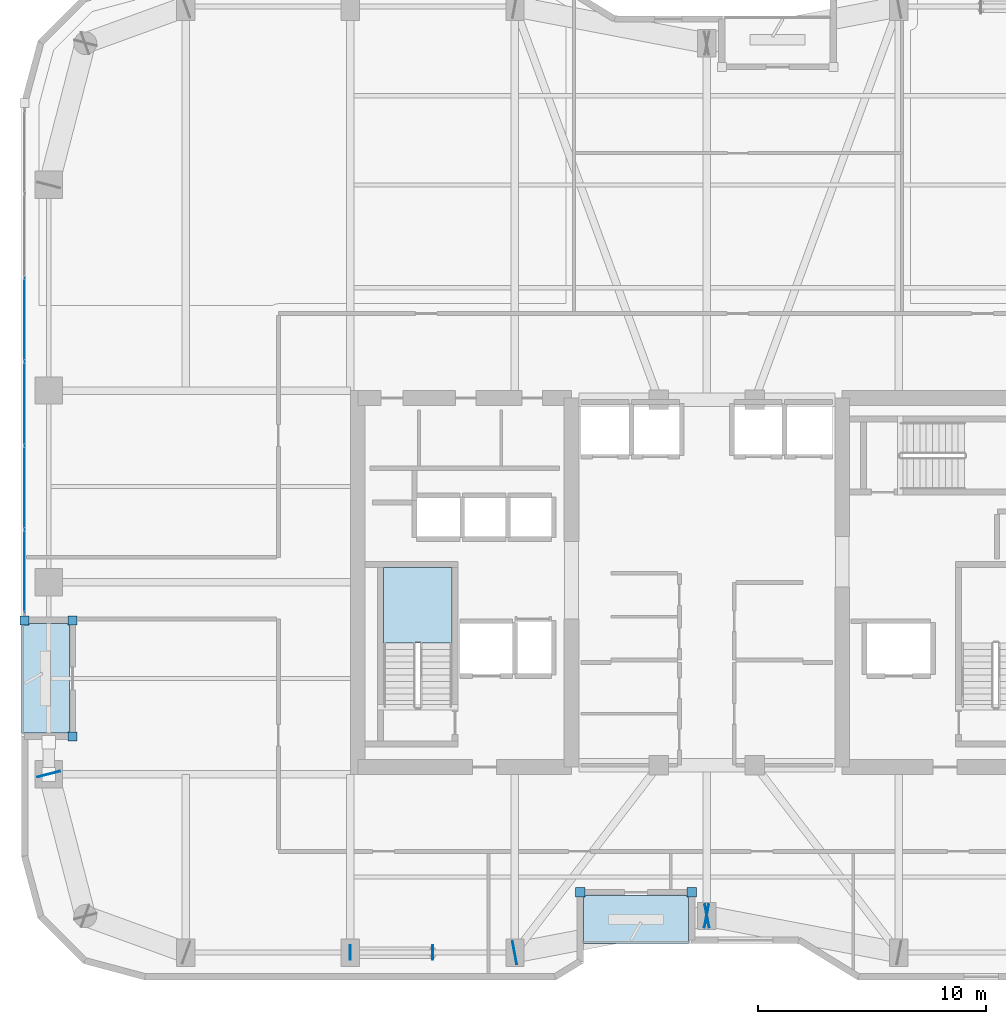
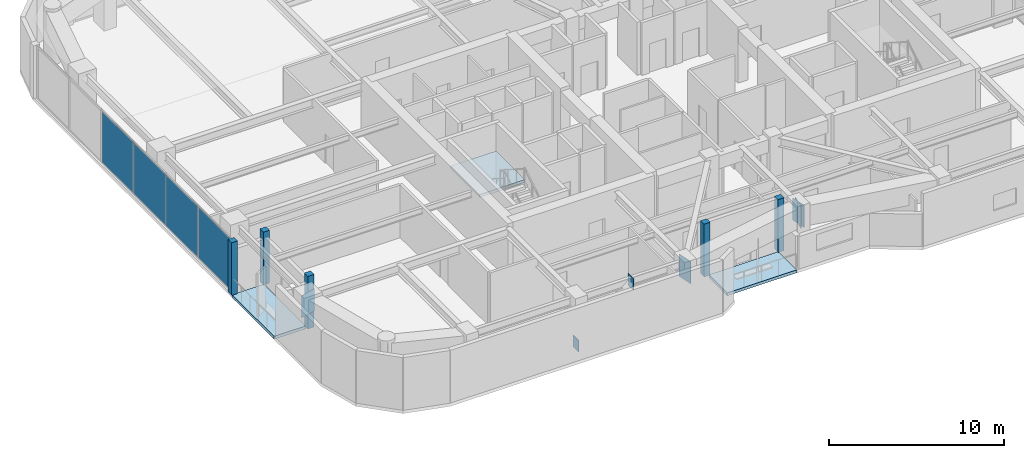
# One storey, part 21 of 30: 15 plates, 3 slabs, 2 elements without a shape of their own.
"""IFC4 building model written with IfcOpenShell, lengths in metres."""

from ifc_helpers import new_model, si_unit, direction, frame, origin, origin_2d, place, context, subcontext, project, spatial, polyline, rectangle, outline, extrude, material, layer, layer_set, type_object, element, aggregate, save


model = new_model("IFC4")

# Units and contexts
model_context = context("Model", 3, precision=1e-05, world=origin(), true_north=direction((0.0, 1.0)))
body_context = subcontext(model_context, "Body", "Model", "MODEL_VIEW")
ifc_project = project(units=[si_unit("LENGTHUNIT", "METRE"), si_unit("AREAUNIT", "SQUARE_METRE"), si_unit("VOLUMEUNIT", "CUBIC_METRE"), si_unit("PLANEANGLEUNIT", "RADIAN"), si_unit("MASSUNIT", "GRAM", prefix="KILO")], contexts=[model_context])

# Site, building, storey
site_placement = place(None, origin())
site = spatial("IfcSite", under=ifc_project, at=site_placement, CompositionType="ELEMENT")
building_placement = place(site_placement, origin())
building = spatial("IfcBuilding", under=site, at=building_placement, Name="Kiyonajd Concourse Tower", CompositionType="ELEMENT")
storey_placement = place(building_placement, frame((0.0, 0.0, 190.199951171875)))
storey = spatial("IfcBuildingStorey", under=building, at=storey_placement, Name="L48", CompositionType="ELEMENT", Elevation=190.199951171875)

# Plates
ifc_material_1 = material(Name="Steel ASTM A572 Grade 50", Category="steel")
ifc_layer_1 = layer(ifc_material_1, 0.028076171875)
ifc_layer_set_1 = layer_set([ifc_layer_1], Name="Steel ASTM A572 Grade 50")
plate_type_1 = type_object("IfcPlateType", Name="PL-CAP-450", PredefinedType="USERDEFINED", material=ifc_layer_set_1)
for number, where, z_axis, x_axis, name in (
    (1, (32.3916015625, 19.800048828125, -0.10888671875), (0.0, 0.0, 1.0), (-1.0, 0.0, 0.0), "L48 Hollow Brace End Cap Plate PBS"),
    (2, (36.00830078125, 19.800048828125, 2.93505859375), (0.0, 0.0, 1.0), (1.0, 0.0, 0.0), "L48 Hollow Brace Top Cap Plate PBS"),
):
    element("IfcPlate", number, at=place(storey_placement, frame(where, z_axis=z_axis, x_axis=x_axis)), inside=storey, type_object=plate_type_1, Name=name, ObjectType="CAP PLATE", PredefinedType="USERDEFINED", context=body_context, shape_type="SweptSolid", body=[
        extrude(rectangle(XDim=0.035888671875, YDim=0.6279296875, at=origin_2d()), origin(), (0.0, 0.0, 1.0), 0.803955078125),
    ])
ifc_layer_2 = layer(ifc_material_1, 0.031982421875)
ifc_layer_set_2 = layer_set([ifc_layer_2], Name="Steel ASTM A572 Grade 50")
plate_type_2 = type_object("IfcPlateType", Name="PL-CAP-540", PredefinedType="USERDEFINED", material=ifc_layer_set_2)
for number, where, z_axis, x_axis, name in (
    (3, (19.197265625, 27.610595703125, 2.2099609375), (0.0, 0.0, 1.0), (-0.249873048837, 0.968278606324, 0.0), "L48 Welded Box Girder End Cap"),
    (4, (39.589111328125, 19.7978515625, 2.2099609375), (0.0, 0.0, 1.0), (-0.982352599301, -0.187038420242, 0.0), "L48 Welded Box Girder End Cap"),
    (5, (48.0107421875, 21.402099609375, 2.2099609375), (0.0, 0.0, 1.0), (0.982352599301, 0.187038420242, 0.0), "L48 Welded Box Girder End Cap"),
    (6, (47.9892578125, 21.402099609375, 2.2099609375), (0.0, 0.0, 1.0), (-0.982352599301, 0.187038420242, 0.0), "L48 Welded Box Girder End Cap"),
):
    element("IfcPlate", number, at=place(storey_placement, frame(where, z_axis=z_axis, x_axis=x_axis)), inside=storey, type_object=plate_type_2, Name=name, ObjectType="CAP PLATE", PredefinedType="USERDEFINED", context=body_context, shape_type="SweptSolid", body=[
        extrude(rectangle(XDim=0.035888671875, YDim=1.02001953125, at=origin_2d()), origin(), (0.0, 0.0, 1.0), 1.5400390625),
    ])

# Curtain wall, plates
ifc_material_2 = material(Name="Thermally Broken Anodised Aluminium", Category="aluminium")
ifc_layer_3 = layer(ifc_material_2, 0.179931640625)
ifc_layer_set_3 = layer_set([ifc_layer_3], Name="Thermally Broken Anodised Aluminium")
curtain_wall_type = type_object("IfcCurtainWallType", Name="CW-SYS-03", PredefinedType="NOTDEFINED", material=ifc_layer_set_3)
curtain_wall_placement = place(storey_placement, origin())
curtain_wall = element("IfcCurtainWall", 7, at=curtain_wall_placement, inside=storey, type_object=curtain_wall_type, Name="L48 Unitised Curtain Wall CW3", PredefinedType="NOTDEFINED")
ifc_material_3 = material(Name="Double Low-E Insulated Glass", Category="glass")
ifc_layer_4 = layer(ifc_material_3, 0.033935546875)
ifc_layer_set_4 = layer_set([ifc_layer_4], Name="Double Low-E Insulated Glass")
plate_type_3 = type_object("IfcPlateType", Name="PL-CW-VIS34", PredefinedType="CURTAIN_PANEL", material=ifc_layer_set_4)
plate_1_placement = place(storey_placement, frame((18.139892578125, 36.484619140625, 0.06494140625), z_axis=(0.0, 0.0, 1.0), x_axis=(0.0, 1.0, 0.0)))
plate_1 = element("IfcPlate", 8, at=plate_1_placement, type_object=plate_type_3, Name="CW3 panel 1.1", PredefinedType="CURTAIN_PANEL", context=body_context, shape_type="SweptSolid", body=[
    extrude(rectangle(XDim=3.579345703125, YDim=0.033935546875, at=origin_2d()), origin(), (0.0, 0.0, 1.0), 3.550048828125),
])
plate_2_placement = place(storey_placement, frame((18.139892578125, 40.1455078125, 0.06494140625), z_axis=(0.0, 0.0, 1.0), x_axis=(0.0, 1.0, 0.0)))
plate_2 = element("IfcPlate", 9, at=plate_2_placement, type_object=plate_type_3, Name="CW3 panel 2.1", PredefinedType="CURTAIN_PANEL", context=body_context, shape_type="SweptSolid", body=[
    extrude(rectangle(XDim=3.61181640625, YDim=0.033935546875, at=origin_2d()), origin(), (0.0, 0.0, 1.0), 3.550048828125),
])
plate_3_placement = place(storey_placement, frame((18.139892578125, 43.822265625, 0.06494140625), z_axis=(0.0, 0.0, 1.0), x_axis=(0.0, 1.0, 0.0)))
plate_3 = element("IfcPlate", 10, at=plate_3_placement, type_object=plate_type_3, Name="CW3 panel 3.1", PredefinedType="CURTAIN_PANEL", context=body_context, shape_type="SweptSolid", body=[
    extrude(rectangle(XDim=3.61181640625, YDim=0.033935546875, at=origin_2d()), origin(), (0.0, 0.0, 1.0), 3.550048828125),
])
plate_4_placement = place(storey_placement, frame((18.139892578125, 47.499267578125, 0.06494140625), z_axis=(0.0, 0.0, 1.0), x_axis=(0.0, 1.0, 0.0)))
plate_4 = element("IfcPlate", 11, at=plate_4_placement, type_object=plate_type_3, Name="CW3 panel 4.1", PredefinedType="CURTAIN_PANEL", context=body_context, shape_type="SweptSolid", body=[
    extrude(rectangle(XDim=3.61181640625, YDim=0.033935546875, at=origin_2d()), origin(), (0.0, 0.0, 1.0), 3.550048828125),
])
aggregate(curtain_wall, [plate_1, plate_2, plate_3, plate_4])

# Plates
ifc_layer_5 = layer(ifc_material_2, 0.39990234375)
ifc_layer_set_5 = layer_set([ifc_layer_5], Name="Thermally Broken Anodised Aluminium")
plate_type_4 = type_object("IfcPlateType", Name="PL-JMB-400", PredefinedType="USERDEFINED", material=ifc_layer_set_5)
for number, where, z_axis, x_axis, name in (
    (12, (20.239990234375, 29.260009765625, 0.0), (0.0, 0.0, 1.0), (1.0, 0.0, 0.0), "L48 Facade Jamb Closure Plate 01"),
    (13, (20.239990234375, 34.340087890625, 0.0), (0.0, 0.0, 1.0), (1.0, 0.0, 0.0), "L48 Facade Jamb Closure Plate 02"),
    (14, (18.139892578125, 34.340087890625, 0.0), (0.0, 0.0, 1.0), (1.0, 0.0, 0.0), "L48 Facade Jamb Closure Plate 03"),
    (15, (47.340087890625, 22.43994140625, 0.0), (0.0, 0.0, 1.0), (1.0, 0.0, 0.0), "L48 Facade Jamb Closure Plate 13"),
    (16, (42.4599609375, 22.43994140625, 0.0), (0.0, 0.0, 1.0), (1.0, 0.0, 0.0), "L48 Facade Jamb Closure Plate 14"),
):
    element("IfcPlate", number, at=place(storey_placement, frame(where, z_axis=z_axis, x_axis=x_axis)), inside=storey, type_object=plate_type_4, Name=name, ObjectType="JAMB PLATE", PredefinedType="USERDEFINED", context=body_context, shape_type="SweptSolid", body=[
        extrude(rectangle(XDim=0.39990234375, YDim=0.39990234375, at=origin_2d()), origin(), (0.0, 0.0, 1.0), 3.679931640625),
    ])

# Stair, slab
ifc_material_4 = material(Name="Concrete C40/50", Category="concrete")
stair_type = type_object("IfcStairType", Name="ST-DLG-22R", PredefinedType="HALF_TURN_STAIR", material=ifc_material_4)
stair_placement = place(storey_placement, origin())
stair = element("IfcStair", 17, at=stair_placement, inside=storey, type_object=stair_type, Name="L48 Protected Exit Stair ST1", PredefinedType="HALF_TURN_STAIR")
ifc_layer_6 = layer(ifc_material_4, 0.199951171875)
ifc_layer_set_6 = layer_set([ifc_layer_6], Name="Concrete C40/50")
slab_type_1 = type_object("IfcSlabType", Name="SL-LND-200", PredefinedType="LANDING", material=ifc_layer_set_6)
slab_1_placement = place(storey_placement, frame((0.0, 0.0, 1.75)))
slab_1 = element("IfcSlab", 18, at=slab_1_placement, type_object=slab_type_1, Name="ST1 landing 1", PredefinedType="LANDING", context=body_context, shape_type="SweptSolid", body=[
    extrude(outline(polyline([(36.85009765625, 33.35009765625), (36.85009765625, 36.64990234375), (33.85009765625, 36.64990234375), (33.85009765625, 33.35009765625), (36.85009765625, 33.35009765625)])), origin(), (0.0, 0.0, 1.0), 0.199951171875),
])
aggregate(stair, [slab_1])

# Slabs
ifc_material_5 = material(Name="Precast concrete C50/60", Category="concrete")
ifc_layer_7 = layer(ifc_material_5, 0.199951171875)
ifc_layer_set_7 = layer_set([ifc_layer_7], Name="Precast concrete C50/60")
slab_type_2 = type_object("IfcSlabType", Name="SL-LOG-200", PredefinedType="FLOOR", material=ifc_layer_set_7)
slab_2_placement = place(storey_placement, frame((0.0, 0.0, -0.199951171875)))
element("IfcSlab", 19, at=slab_2_placement, inside=storey, type_object=slab_type_2, Name="L48 Recessed Engawa Loggia Terrace Slab LOG-S", PredefinedType="FLOOR", context=body_context, shape_type="SweptSolid", body=[
    extrude(outline(polyline([(42.60009765625, 20.199951171875), (47.199951171875, 20.199951171875), (47.199951171875, 22.300048828125), (42.60009765625, 22.300048828125), (42.60009765625, 20.199951171875)])), origin(), (0.0, 0.0, 1.0), 0.199951171875),
])
slab_3_placement = place(storey_placement, frame((0.0, 0.0, -0.199951171875)))
element("IfcSlab", 20, at=slab_3_placement, inside=storey, type_object=slab_type_2, Name="L48 Recessed Engawa Loggia Terrace Slab LOG-W", PredefinedType="FLOOR", context=body_context, shape_type="SweptSolid", body=[
    extrude(outline(polyline([(18.0, 29.39990234375), (20.10009765625, 29.39990234375), (20.10009765625, 34.199951171875), (18.0, 34.199951171875), (18.0, 29.39990234375)])), origin(), (0.0, 0.0, 1.0), 0.199951171875),
])

save(model, "model.ifc")
